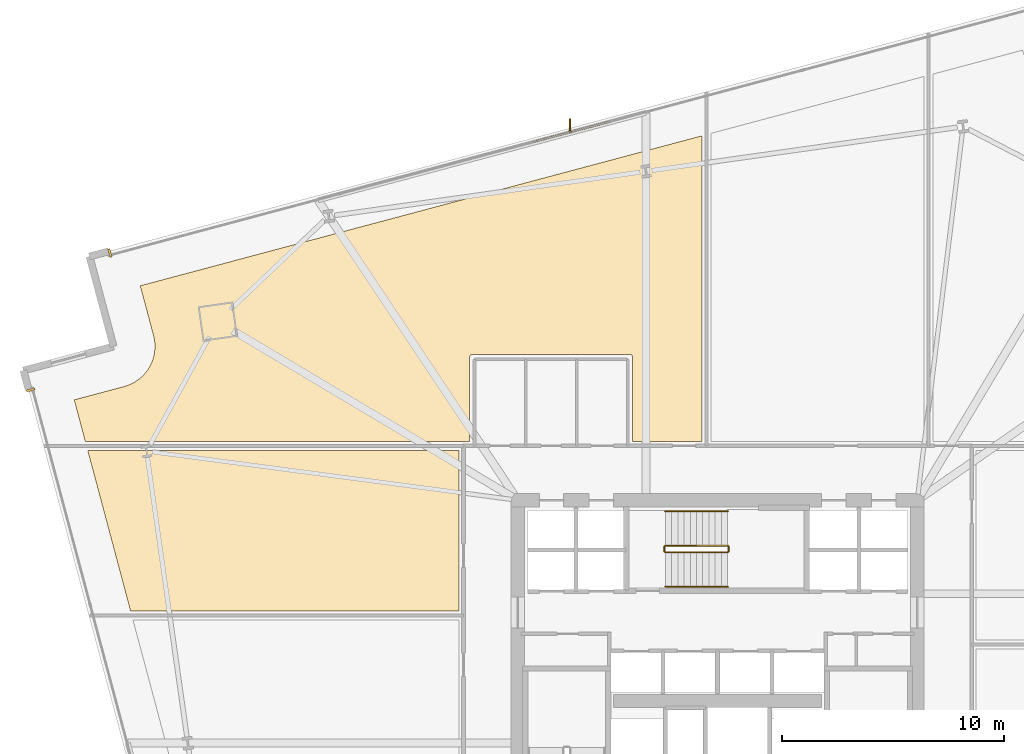
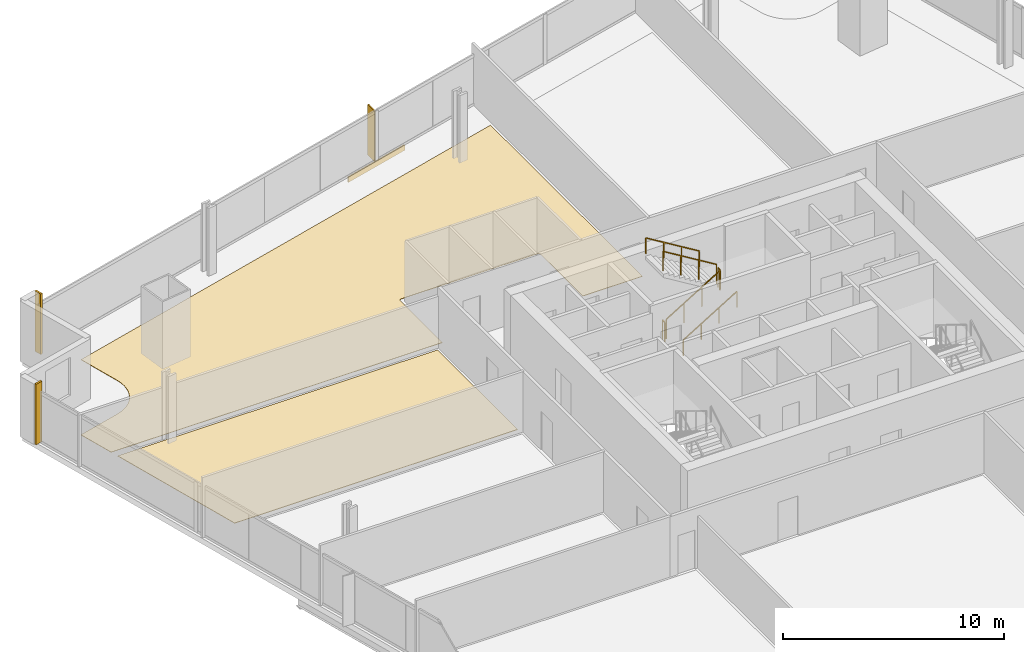
# One storey, part 32 of 33: 6 railings, 5 coverings, 1 shading device.
"""IFC4 building model written with IfcOpenShell, lengths in metres."""

from ifc_helpers import new_model, si_unit, direction, frame, origin, origin_2d, place, context, subcontext, project, spatial, polyline, rectangle, outline, extrude, source, transform, mapped, material, layer, layer_set, type_object, element, save


model = new_model("IFC4")

# Units and contexts
model_context = context("Model", 3, precision=1e-05, world=origin(), true_north=direction((0.0, 1.0)))
body_context = subcontext(model_context, "Body", "Model", "MODEL_VIEW")
ifc_project = project(units=[si_unit("LENGTHUNIT", "METRE"), si_unit("AREAUNIT", "SQUARE_METRE"), si_unit("VOLUMEUNIT", "CUBIC_METRE"), si_unit("PLANEANGLEUNIT", "RADIAN"), si_unit("MASSUNIT", "GRAM", prefix="KILO")], contexts=[model_context])

# Site, building, storey
site_placement = place(None, origin())
site = spatial("IfcSite", under=ifc_project, at=site_placement, CompositionType="ELEMENT")
building_placement = place(site_placement, origin())
building = spatial("IfcBuilding", under=site, at=building_placement, Name="Haldenkirk Collegiate Tower", CompositionType="ELEMENT")
storey_placement = place(building_placement, frame((0.0, 0.0, 77.699951171875)))
storey = spatial("IfcBuildingStorey", under=building, at=storey_placement, Name="L18", CompositionType="ELEMENT", Elevation=77.699951171875)

# Coverings
ifc_material_1 = material(Name="Polished collegiate terrazzo", Category="concrete")
ifc_layer_1 = layer(ifc_material_1, 0.02490234375)
ifc_layer_set_1 = layer_set([ifc_layer_1], Name="Polished collegiate terrazzo")
covering_type_1 = type_object("IfcCoveringType", Name="COV-FLOOR-TERRAZZO", PredefinedType="FLOORING", material=ifc_layer_set_1)
covering_1_placement = place(storey_placement, origin())
element("IfcCovering", 1, at=covering_1_placement, inside=storey, type_object=covering_type_1, Name="L18 academic room finish 10", PredefinedType="FLOORING", context=body_context, shape_type="SweptSolid", body=[
    extrude(outline(polyline([(7.614990234375, 36.25), (24.35009765625, 36.25), (24.35009765625, 29.0), (9.55078125, 29.0), (7.614990234375, 36.25)])), origin(), (0.0, 0.0, 1.0), 0.025146484375),
])
ifc_material_2 = material(Name="Engineered collegiate oak acoustic flooring", Category="wood")
ifc_layer_2 = layer(ifc_material_2, 0.02197265625)
ifc_layer_set_2 = layer_set([ifc_layer_2], Name="Engineered collegiate oak acoustic flooring")
covering_type_2 = type_object("IfcCoveringType", Name="COV-FLOOR-TIMBER", PredefinedType="FLOORING", material=ifc_layer_set_2)
covering_2_placement = place(storey_placement, origin())
element("IfcCovering", 2, at=covering_2_placement, inside=storey, type_object=covering_type_2, Name="L18 academic room finish 05", PredefinedType="FLOORING", context=body_context, shape_type="SweptSolid", body=[
    extrude(outline(polyline([(9.2587890625, 39.125732421875), (9.264404296875, 39.127197265625), (9.427978515625, 39.1796875), (9.43896484375, 39.183837890625), (9.5966796875, 39.252197265625), (9.607177734375, 39.25732421875), (9.75732421875, 39.340576171875), (9.767333984375, 39.3466796875), (9.90869140625, 39.4443359375), (9.91796875, 39.451416015625), (10.049072265625, 39.5625), (10.0576171875, 39.570556640625), (10.17724609375, 39.69384765625), (10.184814453125, 39.70263671875), (10.291748046875, 39.837158203125), (10.298583984375, 39.8466796875), (10.391845703125, 39.990966796875), (10.397705078125, 40.001220703125), (10.476318359375, 40.15380859375), (10.481201171875, 40.16455078125), (10.54443359375, 40.32421875), (10.54833984375, 40.33544921875), (10.595703125, 40.50048828125), (10.59814453125, 40.511962890625), (10.629150390625, 40.680908203125), (10.630615234375, 40.692626953125), (10.64501953125, 40.86376953125), (10.645263671875, 40.87548828125), (10.642578125, 41.047119140625), (10.641845703125, 41.058837890625), (10.622314453125, 41.2294921875), (10.62060546875, 41.2412109375), (10.58447265625, 41.4091796875), (10.5830078125, 41.414794921875), (9.98193359375, 43.666015625), (35.300048828125, 50.42626953125), (35.300048828125, 36.64990234375), (32.169921875, 36.64990234375), (32.169921875, 40.449951171875), (32.16943359375, 40.4619140625), (32.167724609375, 40.473388671875), (32.164794921875, 40.48486328125), (32.160888671875, 40.495849609375), (32.15576171875, 40.506591796875), (32.14990234375, 40.5166015625), (32.142822265625, 40.526123046875), (32.135009765625, 40.534912109375), (32.126220703125, 40.542724609375), (32.11669921875, 40.5498046875), (32.106689453125, 40.555908203125), (32.095947265625, 40.560791015625), (32.084716796875, 40.564697265625), (32.073486328125, 40.567626953125), (32.061767578125, 40.5693359375), (32.050048828125, 40.570068359375), (24.949951171875, 40.570068359375), (24.938232421875, 40.5693359375), (24.926513671875, 40.567626953125), (24.915283203125, 40.564697265625), (24.904052734375, 40.560791015625), (24.893310546875, 40.555908203125), (24.88330078125, 40.5498046875), (24.873779296875, 40.542724609375), (24.864990234375, 40.534912109375), (24.857177734375, 40.526123046875), (24.85009765625, 40.5166015625), (24.84423828125, 40.506591796875), (24.839111328125, 40.495849609375), (24.835205078125, 40.48486328125), (24.832275390625, 40.473388671875), (24.83056640625, 40.4619140625), (24.830078125, 40.449951171875), (24.830078125, 36.64990234375), (7.50830078125, 36.64990234375), (7.007568359375, 38.524658203125), (9.2587890625, 39.125732421875)])), origin(), (0.0, 0.0, 1.0), 0.02197265625),
])

# Railings
ifc_material_3 = material(Name="Painted architectural tubular steel", Category="steel")
railing_type_1 = type_object("IfcRailingType", Name="RLG-STAIR-GUARD-1100", PredefinedType="BALUSTRADE", material=ifc_material_3)
railing_1_placement = place(storey_placement, frame((33.64990234375, 31.64990234375, 0.17041015625)))
element("IfcRailing", 3, at=railing_1_placement, inside=storey, type_object=railing_type_1, Name="L18 ST-3 stair guard 1", PredefinedType="BALUSTRADE", context=body_context, shape_type="SweptSolid", body=[
    extrude(rectangle(XDim=0.048095703125, YDim=0.048095703125, at=origin_2d()), frame((0.0, 0.0, 1.076171875), z_axis=(0.854169791009, 0.0, 0.51999420009), x_axis=(0.0, 1.0, 0.0)), (0.0, 0.0, 1.0), 3.278076171875),
    extrude(rectangle(XDim=0.0419921875, YDim=0.0419921875, at=origin_2d()), origin(), (0.0, 0.0, 1.0), 1.052001953125),
    extrude(rectangle(XDim=0.0419921875, YDim=0.0419921875, at=origin_2d()), frame((0.933349609375, 0.0, 0.568115234375)), (0.0, 0.0, 1.0), 1.052001953125),
    extrude(rectangle(XDim=0.0419921875, YDim=0.0419921875, at=origin_2d()), frame((1.86669921875, 0.0, 1.136474609375)), (0.0, 0.0, 1.0), 1.052001953125),
    extrude(rectangle(XDim=0.0419921875, YDim=0.0419921875, at=origin_2d()), frame((2.800048828125, 0.0, 1.70458984375)), (0.0, 0.0, 1.0), 1.052001953125),
])
railing_2_placement = place(storey_placement, frame((36.5, 31.699951171875, 1.875)))
element("IfcRailing", 4, at=railing_2_placement, inside=storey, type_object=railing_type_1, Name="L18 ST-3 stair guard 2", PredefinedType="BALUSTRADE", context=body_context, shape_type="SweptSolid", body=[
    extrude(rectangle(XDim=0.048095703125, YDim=0.048095703125, at=origin_2d()), frame((0.0, 0.0, 1.076171875), z_axis=(0.0, 1.0, 0.0), x_axis=(-1.0, 0.0, 0.0)), (0.0, 0.0, 1.0), 0.199951171875),
    extrude(rectangle(XDim=0.0419921875, YDim=0.0419921875, at=origin_2d()), origin(), (0.0, 0.0, 1.0), 1.052001953125),
    extrude(rectangle(XDim=0.0419921875, YDim=0.0419921875, at=origin_2d()), frame((0.0, 0.199951171875, 0.0)), (0.0, 0.0, 1.0), 1.052001953125),
])
railing_3_placement = place(storey_placement, frame((36.449951171875, 31.949951171875, 2.04541015625)))
element("IfcRailing", 5, at=railing_3_placement, inside=storey, type_object=railing_type_1, Name="L18 ST-3 stair guard 3", PredefinedType="BALUSTRADE", context=body_context, shape_type="SweptSolid", body=[
    extrude(rectangle(XDim=0.048095703125, YDim=0.048095703125, at=origin_2d()), frame((0.0, 0.0, 1.076171875), z_axis=(-0.854169791009, 0.0, 0.51999420009), x_axis=(0.0, -1.0, 0.0)), (0.0, 0.0, 1.0), 3.278076171875),
    extrude(rectangle(XDim=0.0419921875, YDim=0.0419921875, at=origin_2d()), origin(), (0.0, 0.0, 1.0), 1.052001953125),
    extrude(rectangle(XDim=0.0419921875, YDim=0.0419921875, at=origin_2d()), frame((-0.933349609375, 0.0, 0.568115234375)), (0.0, 0.0, 1.0), 1.052001953125),
    extrude(rectangle(XDim=0.0419921875, YDim=0.0419921875, at=origin_2d()), frame((-1.86669921875, 0.0, 1.136474609375)), (0.0, 0.0, 1.0), 1.052001953125),
    extrude(rectangle(XDim=0.0419921875, YDim=0.0419921875, at=origin_2d()), frame((-2.800048828125, 0.0, 1.70458984375)), (0.0, 0.0, 1.0), 1.052001953125),
])
railing_4_placement = place(storey_placement, frame((33.60009765625, 31.699951171875, 0.0)))
element("IfcRailing", 6, at=railing_4_placement, inside=storey, type_object=railing_type_1, Name="L18 ST-3 stair guard 4", PredefinedType="BALUSTRADE", context=body_context, shape_type="SweptSolid", body=[
    extrude(rectangle(XDim=0.048095703125, YDim=0.048095703125, at=origin_2d()), frame((0.0, 0.0, 1.076171875), z_axis=(0.0, 1.0, 0.0), x_axis=(-1.0, 0.0, 0.0)), (0.0, 0.0, 1.0), 0.199951171875),
    extrude(rectangle(XDim=0.0419921875, YDim=0.0419921875, at=origin_2d()), origin(), (0.0, 0.0, 1.0), 1.052001953125),
    extrude(rectangle(XDim=0.0419921875, YDim=0.0419921875, at=origin_2d()), frame((0.0, 0.199951171875, 0.0)), (0.0, 0.0, 1.0), 1.052001953125),
])
railing_type_2 = type_object("IfcRailingType", Name="RLG-STAIR-HANDRAIL-900", PredefinedType="HANDRAIL", material=ifc_material_3)
railing_5_placement = place(storey_placement, frame((33.64990234375, 30.10009765625, 0.17041015625)))
element("IfcRailing", 7, at=railing_5_placement, inside=storey, type_object=railing_type_2, Name="L18 ST-3 stair handrail 1", PredefinedType="HANDRAIL", context=body_context, shape_type="SweptSolid", body=[
    extrude(rectangle(XDim=0.048095703125, YDim=0.048095703125, at=origin_2d()), frame((0.0, 0.0, 0.8759765625), z_axis=(0.854169791009, 0.0, 0.51999420009), x_axis=(0.0, 1.0, 0.0)), (0.0, 0.0, 1.0), 3.278076171875),
    extrude(rectangle(XDim=0.0419921875, YDim=0.0419921875, at=origin_2d()), origin(), (0.0, 0.0, 1.0), 0.851806640625),
    extrude(rectangle(XDim=0.0419921875, YDim=0.0419921875, at=origin_2d()), frame((0.933349609375, 0.0, 0.568115234375)), (0.0, 0.0, 1.0), 0.851806640625),
    extrude(rectangle(XDim=0.0419921875, YDim=0.0419921875, at=origin_2d()), frame((1.86669921875, 0.0, 1.136474609375)), (0.0, 0.0, 1.0), 0.851806640625),
    extrude(rectangle(XDim=0.0419921875, YDim=0.0419921875, at=origin_2d()), frame((2.800048828125, 0.0, 1.70458984375)), (0.0, 0.0, 1.0), 0.851806640625),
])
railing_6_placement = place(storey_placement, frame((36.449951171875, 33.5, 2.04541015625)))
element("IfcRailing", 8, at=railing_6_placement, inside=storey, type_object=railing_type_2, Name="L18 ST-3 stair handrail 2", PredefinedType="HANDRAIL", context=body_context, shape_type="SweptSolid", body=[
    extrude(rectangle(XDim=0.048095703125, YDim=0.048095703125, at=origin_2d()), frame((0.0, 0.0, 0.8759765625), z_axis=(-0.854169791009, 0.0, 0.51999420009), x_axis=(0.0, -1.0, 0.0)), (0.0, 0.0, 1.0), 3.278076171875),
    extrude(rectangle(XDim=0.0419921875, YDim=0.0419921875, at=origin_2d()), origin(), (0.0, 0.0, 1.0), 0.851806640625),
    extrude(rectangle(XDim=0.0419921875, YDim=0.0419921875, at=origin_2d()), frame((-0.933349609375, 0.0, 0.568115234375)), (0.0, 0.0, 1.0), 0.851806640625),
    extrude(rectangle(XDim=0.0419921875, YDim=0.0419921875, at=origin_2d()), frame((-1.86669921875, 0.0, 1.136474609375)), (0.0, 0.0, 1.0), 0.851806640625),
    extrude(rectangle(XDim=0.0419921875, YDim=0.0419921875, at=origin_2d()), frame((-2.800048828125, 0.0, 1.70458984375)), (0.0, 0.0, 1.0), 0.851806640625),
])

# Coverings
ifc_material_4 = material(Name="Anodised architectural bronze aluminium", Category="aluminium")
ifc_layer_3 = layer(ifc_material_4, 0.06005859375)
ifc_layer_set_3 = layer_set([ifc_layer_3], Name="Anodised architectural bronze aluminium")
covering_type_3 = type_object("IfcCoveringType", Name="COV-CLAD-BRONZE-60", PredefinedType="CLADDING", material=ifc_layer_set_3)
shared_shape_1 = source(origin(), body_context, "Body", "SweptSolid", [
    extrude(rectangle(XDim=3.60009765625, YDim=0.06005859375, at=origin_2d()), origin(), (0.0, 0.0, 1.0), 0.300048828125),
])
covering_3_placement = place(storey_placement, frame((29.42919921875, 50.60791015625, -0.2998046875), z_axis=(0.0, 0.0, 1.0), x_axis=(0.966151320688, 0.257976017359, 0.0)))
element("IfcCovering", 9, at=covering_3_placement, inside=storey, type_object=covering_type_3, Name="L18 architectural bronze spandrel cladding N", PredefinedType="CLADDING", context=body_context, shape_type="MappedRepresentation", body=[
    mapped(shared_shape_1, transform((0.0, 0.0, 0.0), x_axis=(1.0, 0.0, 0.0), y_axis=(0.0, 1.0, 0.0), z_axis=(0.0, 0.0, 1.0), scale=1.0)),
])
shared_shape_2 = source(origin(), body_context, "Body", "SweptSolid", [
    extrude(rectangle(XDim=0.10009765625, YDim=0.3798828125, at=origin_2d()), origin(), (0.0, 0.0, 1.0), 3.340087890625),
])
for number, where, z_axis, x_axis, name in (
    (10, (8.614501953125, 45.143310546875, 0.0), (0.0, 0.0, 1.0), (0.966151320688, 0.257976017359, 0.0), "L18 recessed curtain-wall bronze jamb closure NJL"),
    (11, (5.04541015625, 38.9736328125, 0.0), (0.0, 0.0, 1.0), (-0.257976017359, 0.966151320688, 0.0), "L18 recessed curtain-wall bronze jamb closure WJR"),
):
    element("IfcCovering", number, at=place(storey_placement, frame(where, z_axis=z_axis, x_axis=x_axis)), inside=storey, type_object=covering_type_3, Name=name, PredefinedType="CLADDING", context=body_context, shape_type="MappedRepresentation", body=[
        mapped(shared_shape_2, transform((0.0, 0.0, 0.0), x_axis=(1.0, 0.0, 0.0), y_axis=(0.0, 1.0, 0.0), z_axis=(0.0, 0.0, 1.0), scale=1.0)),
    ])

# Shading device
ifc_layer_4 = layer(ifc_material_4, 0.06494140625)
ifc_layer_set_4 = layer_set([ifc_layer_4], Name="Anodised architectural bronze aluminium")
shading_device_type = type_object("IfcShadingDeviceType", Name="SHD-FIN-BRONZE-620", PredefinedType="USERDEFINED", material=ifc_layer_set_4)
shared_shape_3 = source(origin(), body_context, "Body", "SweptSolid", [
    extrude(rectangle(XDim=0.6201171875, YDim=0.06494140625, at=origin_2d()), origin(), (0.0, 0.0, 1.0), 2.791015625),
])
shading_device_placement = place(storey_placement, frame((29.353271484375, 50.892822265625, 0.0), z_axis=(0.0, 0.0, 1.0), x_axis=(0.018324931396, 0.999832084347, 0.0)))
element("IfcShadingDevice", 12, at=shading_device_placement, inside=storey, type_object=shading_device_type, Name="L18 folded bronze solar fin 1", ObjectType="FIN", PredefinedType="USERDEFINED", context=body_context, shape_type="MappedRepresentation", body=[
    mapped(shared_shape_3, transform((0.0, 0.0, 0.0), x_axis=(1.0, 0.0, 0.0), y_axis=(0.0, 1.0, 0.0), z_axis=(0.0, 0.0, 1.0), scale=1.0)),
])

save(model, "model.ifc")
